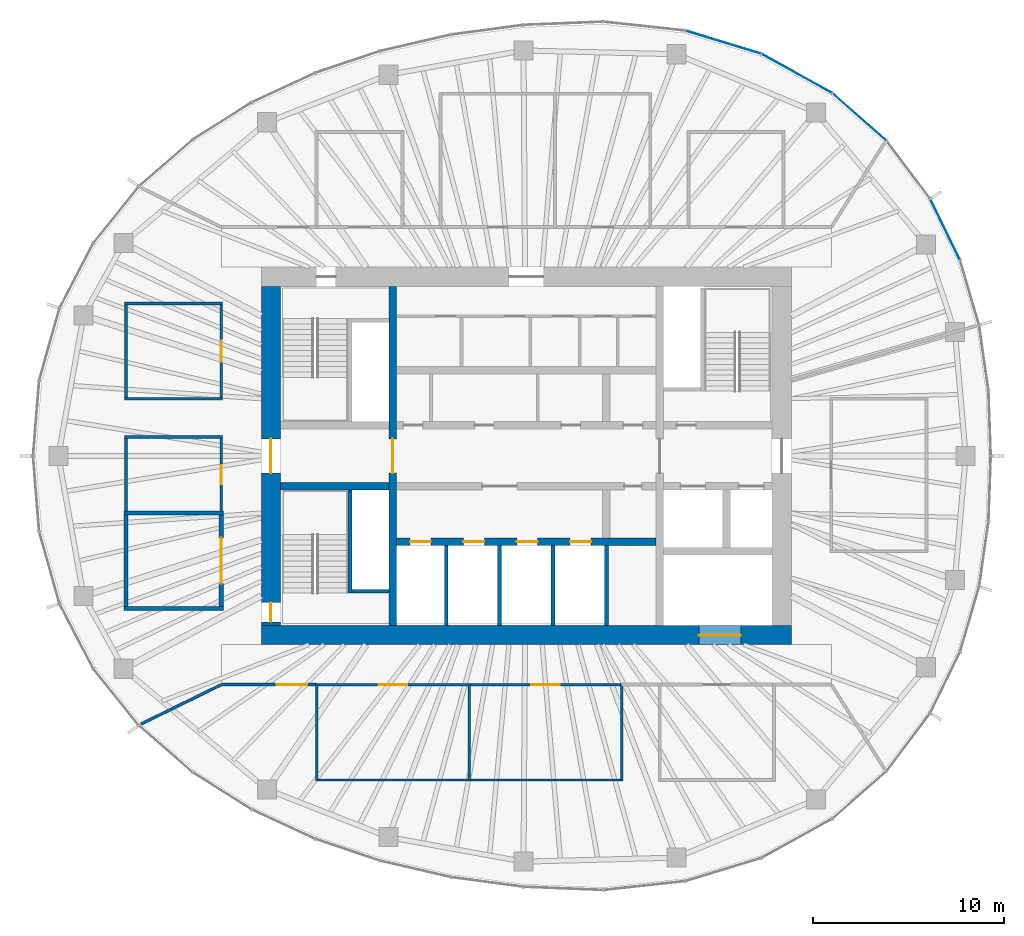
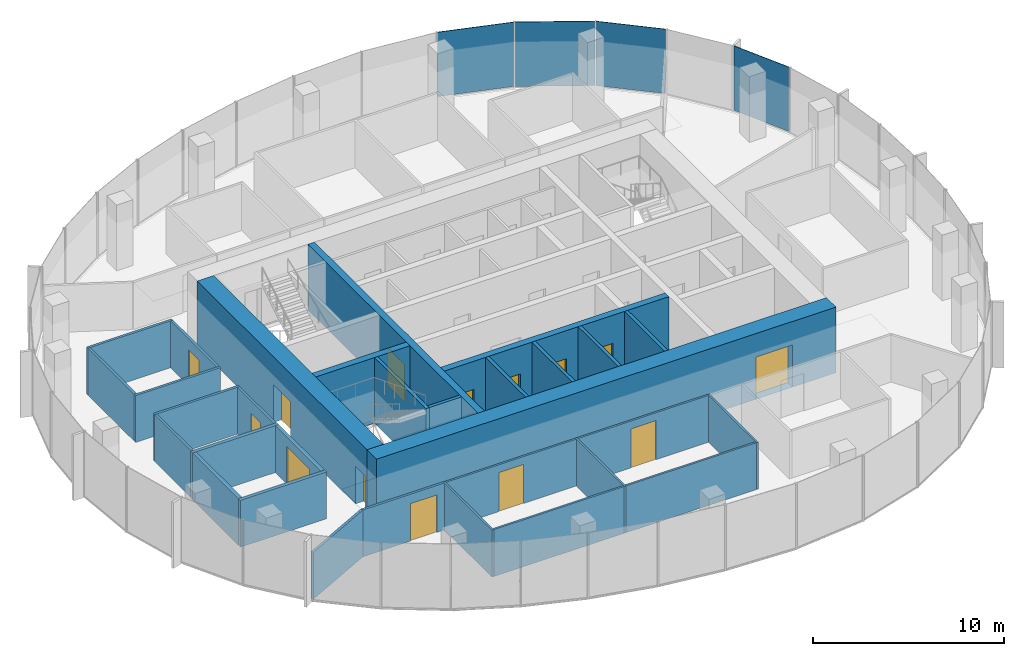
# One storey, part 8 of 11: 31 walls, 14 doors, 4 plates, 14 openings, 3 elements without a shape of their own.
"""IFC4 building model written with IfcOpenShell, lengths in metres."""

from ifc_helpers import new_model, si_unit, direction, frame, frame_2d, origin, origin_2d, place, context, subcontext, project, spatial, rectangle, extrude, material, layer, layer_set, type_object, element, fill, aggregate, save


model = new_model("IFC4")

# Units and contexts
model_context = context("Model", 3, precision=1e-05, world=origin(), true_north=direction((0.0, 1.0)))
body_context = subcontext(model_context, "Body", "Model", "MODEL_VIEW")
ifc_project = project(units=[si_unit("LENGTHUNIT", "METRE"), si_unit("AREAUNIT", "SQUARE_METRE"), si_unit("VOLUMEUNIT", "CUBIC_METRE"), si_unit("PLANEANGLEUNIT", "RADIAN"), si_unit("MASSUNIT", "GRAM", prefix="KILO")], contexts=[model_context])

# Site, building, storey
site_placement = place(None, origin())
site = spatial("IfcSite", under=ifc_project, at=site_placement, CompositionType="ELEMENT")
building_placement = place(site_placement, origin())
building = spatial("IfcBuilding", under=site, at=building_placement, Name="Ghaith Harvest Tower", CompositionType="ELEMENT")
storey_placement = place(building_placement, frame((0.0, 0.0, 309.0)))
storey = spatial("IfcBuildingStorey", under=building, at=storey_placement, Name="L69", CompositionType="ELEMENT", Elevation=309.0)

# Curtain wall, plate
ifc_material_1 = material(Name="Black anodised aluminium and fritted glass", Category="aluminium")
curtain_wall_type = type_object("IfcCurtainWallType", Name="CW-T CURTAIN WALL", PredefinedType="NOTDEFINED", material=ifc_material_1)
curtain_wall_1_placement = place(storey_placement, origin())
curtain_wall_1 = element("IfcCurtainWall", 1, at=curtain_wall_1_placement, inside=storey, type_object=curtain_wall_type, Name="Curtain wall CW-T bay 02 L69", PredefinedType="NOTDEFINED")
ifc_material_2 = material(Name="Glass, dark solar-control fritted double glazed unit", Category="glass")
ifc_layer_1 = layer(ifc_material_2, 0.033935546875)
ifc_layer_set_1 = layer_set([ifc_layer_1], Name="CW-T VISION PANEL")
plate_type = type_object("IfcPlateType", Name="CW-T VISION PANEL", PredefinedType="CURTAIN_PANEL", material=ifc_layer_set_1)
plate_1_placement = place(storey_placement, frame((21.9716796875, 11.878662109375, 0.079833984375), z_axis=(0.0, 0.0, 1.0), x_axis=(-0.437968365148, 0.898990384337, 0.0)))
plate_1 = element("IfcPlate", 2, at=plate_1_placement, type_object=plate_type, Name="CW-T glass unit 2 bay 02 L69", PredefinedType="CURTAIN_PANEL", context=body_context, shape_type="SweptSolid", body=[
    extrude(rectangle(XDim=3.49365234375, YDim=0.033935546875, at=origin_2d()), origin(), (0.0, 0.0, 1.0), 4.1201171875),
])
aggregate(curtain_wall_1, [plate_1])

curtain_wall_2_placement = place(storey_placement, origin())
curtain_wall_2 = element("IfcCurtainWall", 3, at=curtain_wall_2_placement, inside=storey, type_object=curtain_wall_type, Name="Curtain wall CW-T bay 03 L69", PredefinedType="NOTDEFINED")
plate_2_placement = place(storey_placement, frame((17.47509765625, 17.779541015625, 0.079833984375), z_axis=(0.0, 0.0, 1.0), x_axis=(-0.751334532416, 0.659921525941, 0.0)))
plate_2 = element("IfcPlate", 4, at=plate_2_placement, type_object=plate_type, Name="CW-T glass unit 2 bay 03 L69", PredefinedType="CURTAIN_PANEL", context=body_context, shape_type="SweptSolid", body=[
    extrude(rectangle(XDim=3.7158203125, YDim=0.033935546875, at=origin_2d()), origin(), (0.0, 0.0, 1.0), 4.1201171875),
])
aggregate(curtain_wall_2, [plate_2])

# Curtain wall, plates
curtain_wall_3_placement = place(storey_placement, origin())
curtain_wall_3 = element("IfcCurtainWall", 5, at=curtain_wall_3_placement, inside=storey, type_object=curtain_wall_type, Name="Curtain wall CW-T bay 04 L69", PredefinedType="NOTDEFINED")
plate_3_placement = place(storey_placement, frame((14.19189453125, 20.06201171875, 0.079833984375), z_axis=(0.0, 0.0, 1.0), x_axis=(-0.87456402291, 0.484910063653, 0.0)))
plate_3 = element("IfcPlate", 6, at=plate_3_placement, type_object=plate_type, Name="CW-T glass unit 1 bay 04 L69", PredefinedType="CURTAIN_PANEL", context=body_context, shape_type="SweptSolid", body=[
    extrude(rectangle(XDim=4.167724609375, YDim=0.033935546875, at=origin_2d()), origin(), (0.0, 0.0, 1.0), 4.1201171875),
])
plate_4_placement = place(storey_placement, frame((10.337158203125, 21.700439453125, 0.079833984375), z_axis=(0.0, 0.0, 1.0), x_axis=(-0.956587736124, 0.291444511181, 0.0)))
plate_4 = element("IfcPlate", 7, at=plate_4_placement, type_object=plate_type, Name="CW-T glass unit 2 bay 04 L69", PredefinedType="CURTAIN_PANEL", context=body_context, shape_type="SweptSolid", body=[
    extrude(rectangle(XDim=4.095703125, YDim=0.033935546875, at=origin_2d()), origin(), (0.0, 0.0, 1.0), 4.1201171875),
])
aggregate(curtain_wall_3, [plate_3, plate_4])

# Walls
ifc_material_3 = material(Name="Concrete blockwork, 1-hour", Category="masonry")
ifc_layer_2 = layer(ifc_material_3, 0.215087890625)
ifc_layer_set_2 = layer_set([ifc_layer_2], Name="BLOCKWORK WALL 215")
wall_type_1 = type_object("IfcWallType", Name="BLOCKWORK WALL 215", PredefinedType="PARTITIONING", material=ifc_layer_set_2)
for number, where, z_axis, x_axis, name in (
    (8, (-15.892578125, -8.0, 0.0), (0.0, 0.0, 1.0), (-1.0, 0.0, 0.0), "Partition L69 row W4 cross wall 1"),
    (9, (-15.892578125, -3.0, 0.0), (0.0, 0.0, 1.0), (-1.0, 0.0, 0.0), "Partition L69 row W4 cross wall 2"),
):
    element("IfcWall", number, at=place(storey_placement, frame(where, z_axis=z_axis, x_axis=x_axis)), inside=storey, type_object=wall_type_1, Name=name, PredefinedType="PARTITIONING", context=body_context, shape_type="SweptSolid", body=[
        extrude(rectangle(XDim=5.21484375, YDim=0.215087890625, at=frame_2d((2.607421875, 0.0))), origin(), (0.0, 0.0, 1.0), 3.0),
    ])

# Wall, opening, door
wall_1_placement = place(storey_placement, frame((-16.0, -7.892578125, 0.0), z_axis=(0.0, 0.0, 1.0), x_axis=(0.0, 1.0, 0.0)))
wall_1 = element("IfcWall", 10, at=wall_1_placement, inside=storey, type_object=wall_type_1, Name="Partition L69-06", PredefinedType="PARTITIONING", context=body_context, shape_type="SweptSolid", body=[
    extrude(rectangle(XDim=4.78515625, YDim=0.215087890625, at=frame_2d((2.392578125, 0.0))), origin(), (0.0, 0.0, 1.0), 3.0),
])
opening_1_placement = place(wall_1_placement, frame((1.1923828125, 0.0, 0.0)))
opening_1 = element("IfcOpeningElement", 11, at=opening_1_placement, cuts=wall_1, Name="Opening 69-032", PredefinedType="OPENING", context=body_context, shape_type="SweptSolid", body=[
    extrude(rectangle(XDim=2.39990234375, YDim=2.39990234375, at=frame_2d((1.199951171875, 1.199951171875))), frame((0.0, 0.11767578125, 0.0), z_axis=(0.0, -1.0, 0.0), x_axis=(1.0, 0.0, 0.0)), (0.0, 0.0, 1.0), 0.235107421875),
])
ifc_material_4 = material(Name="Timber door", Category="wood")
door_type_1 = type_object("IfcDoorType", Name="D10 PLANT PAIR 2400x2400", OperationType="DOUBLE_DOOR_SINGLE_SWING", PredefinedType="DOOR", material=ifc_material_4)
door_1_placement = place(opening_1_placement, origin())
door_1 = element("IfcDoor", 12, at=door_1_placement, inside=storey, type_object=door_type_1, Name="Pump room door", OperationType="DOUBLE_DOOR_SINGLE_SWING", OverallHeight=2.39990234375, OverallWidth=2.39990234375, PredefinedType="DOOR", context=body_context, shape_type="SweptSolid", body=[
    extrude(rectangle(XDim=2.39990234375, YDim=2.39990234375, at=frame_2d((1.199951171875, 1.199951171875))), frame((0.0, 0.02490234375, 0.0), z_axis=(0.0, -1.0, 0.0), x_axis=(1.0, 0.0, 0.0)), (0.0, 0.0, 1.0), 0.050048828125),
])
fill(opening_1, door_1)

# Wall
wall_2_placement = place(storey_placement, frame((-21.0, -7.892578125, 0.0), z_axis=(0.0, 0.0, 1.0), x_axis=(0.0, 1.0, 0.0)))
element("IfcWall", 13, at=wall_2_placement, inside=storey, type_object=wall_type_1, Name="Partition L69-06", PredefinedType="PARTITIONING", context=body_context, shape_type="SweptSolid", body=[
    extrude(rectangle(XDim=4.78515625, YDim=0.215087890625, at=frame_2d((2.392578125, 0.0))), origin(), (0.0, 0.0, 1.0), 3.0),
])

# Wall, opening, door
ifc_material_5 = material(Name="Concrete C50/60", Category="concrete")
ifc_layer_3 = layer(ifc_material_5, 1.0)
ifc_layer_set_3 = layer_set([ifc_layer_3], Name="CORE WALL CW1000")
wall_type_2 = type_object("IfcWallType", Name="CORE WALL CW1000", PredefinedType="SHEAR", material=ifc_layer_set_3)
wall_3_placement = place(storey_placement, frame((-13.89990234375, -9.39990234375, 0.0), z_axis=(0.0, 0.0, 1.0), x_axis=(1.0, 0.0, 0.0)))
wall_3 = element("IfcWall", 14, at=wall_3_placement, inside=storey, type_object=wall_type_2, Name="Core wall S L69", PredefinedType="SHEAR", context=body_context, shape_type="SweptSolid", body=[
    extrude(rectangle(XDim=27.7998046875, YDim=1.0, at=frame_2d((13.89990234375, 0.0))), origin(), (0.0, 0.0, 1.0), 4.199951171875),
])
opening_2_placement = place(wall_3_placement, frame((22.949951171875, 0.0, 0.0)))
opening_2 = element("IfcOpeningElement", 15, at=opening_2_placement, cuts=wall_3, Name="Opening 69-026", PredefinedType="OPENING", context=body_context, shape_type="SweptSolid", body=[
    extrude(rectangle(XDim=2.199951171875, YDim=2.699951171875, at=frame_2d((1.10009765625, 1.35009765625))), frame((0.0, 0.510009765625, 0.0), z_axis=(0.0, -1.0, 0.0), x_axis=(1.0, 0.0, 0.0)), (0.0, 0.0, 1.0), 1.02001953125),
])
ifc_material_6 = material(Name="Steel fire door", Category="steel")
door_type_2 = type_object("IfcDoorType", Name="LD3 LANDING 2200x2700", OperationType="DOUBLE_DOOR_SLIDING", PredefinedType="DOOR", material=ifc_material_6)
door_2_placement = place(opening_2_placement, origin())
door_2 = element("IfcDoor", 16, at=door_2_placement, inside=storey, type_object=door_type_2, Name="Landing door, goods lift GL1", OperationType="DOUBLE_DOOR_SLIDING", OverallHeight=2.699951171875, OverallWidth=2.199951171875, PredefinedType="DOOR", context=body_context, shape_type="SweptSolid", body=[
    extrude(rectangle(XDim=2.199951171875, YDim=2.699951171875, at=frame_2d((1.10009765625, 1.35009765625))), frame((0.0, 0.02490234375, 0.0), z_axis=(0.0, -1.0, 0.0), x_axis=(1.0, 0.0, 0.0)), (0.0, 0.0, 1.0), 0.050048828125),
])
fill(opening_2, door_2)

# Wall, openings, doors
wall_4_placement = place(storey_placement, frame((-13.39990234375, 8.89990234375, 0.0), z_axis=(0.0, 0.0, 1.0), x_axis=(0.0, -1.0, 0.0)))
wall_4 = element("IfcWall", 17, at=wall_4_placement, inside=storey, type_object=wall_type_2, Name="Core wall W L69", PredefinedType="SHEAR", context=body_context, shape_type="SweptSolid", body=[
    extrude(rectangle(XDim=17.7998046875, YDim=1.0, at=frame_2d((8.89990234375, 0.0))), origin(), (0.0, 0.0, 1.0), 4.199951171875),
])
opening_3_placement = place(wall_4_placement, frame((8.0, 0.0, 0.0)))
opening_3 = element("IfcOpeningElement", 18, at=opening_3_placement, cuts=wall_4, Name="Opening 69-001", PredefinedType="OPENING", context=body_context, shape_type="SweptSolid", body=[
    extrude(rectangle(XDim=1.800048828125, YDim=2.39990234375, at=frame_2d((0.89990234375, 1.199951171875))), frame((0.0, 0.510009765625, 0.0), z_axis=(0.0, -1.0, 0.0), x_axis=(1.0, 0.0, 0.0)), (0.0, 0.0, 1.0), 1.02001953125),
])
opening_4_placement = place(wall_4_placement, frame((16.60009765625, 0.0, 0.0)))
opening_4 = element("IfcOpeningElement", 19, at=opening_4_placement, cuts=wall_4, Name="Opening 69-006", PredefinedType="OPENING", context=body_context, shape_type="SweptSolid", body=[
    extrude(rectangle(XDim=1.0, YDim=2.39990234375, at=frame_2d((0.5, 1.199951171875))), frame((0.0, 0.510009765625, 0.0), z_axis=(0.0, -1.0, 0.0), x_axis=(1.0, 0.0, 0.0)), (0.0, 0.0, 1.0), 1.02001953125),
])
ifc_material_7 = material(Name="Steel fire door", Category="steel")
door_type_3 = type_object("IfcDoorType", Name="D3 FD90 1000x2400", OperationType="SINGLE_SWING_LEFT", PredefinedType="DOOR", material=ifc_material_7)
door_3_placement = place(opening_4_placement, origin())
door_3 = element("IfcDoor", 20, at=door_3_placement, inside=storey, type_object=door_type_3, Name="Stair ST3 door", OperationType="SINGLE_SWING_RIGHT", OverallHeight=2.39990234375, OverallWidth=1.0, PredefinedType="DOOR", context=body_context, shape_type="SweptSolid", body=[
    extrude(rectangle(XDim=1.0, YDim=2.39990234375, at=frame_2d((0.5, 1.199951171875))), frame((0.0, 0.02490234375, 0.0), z_axis=(0.0, -1.0, 0.0), x_axis=(1.0, 0.0, 0.0)), (0.0, 0.0, 1.0), 0.050048828125),
])
fill(opening_4, door_3)
ifc_material_8 = material(Name="Steel fire door", Category="steel")
door_type_4 = type_object("IfcDoorType", Name="D4 FD90 PAIR 1800x2400", OperationType="DOUBLE_DOOR_SINGLE_SWING", PredefinedType="DOOR", material=ifc_material_8)
door_4_placement = place(opening_3_placement, origin())
door_4 = element("IfcDoor", 21, at=door_4_placement, inside=storey, type_object=door_type_4, Name="West lobby doors", OperationType="DOUBLE_DOOR_SINGLE_SWING", OverallHeight=2.39990234375, OverallWidth=1.800048828125, PredefinedType="DOOR", context=body_context, shape_type="SweptSolid", body=[
    extrude(rectangle(XDim=1.800048828125, YDim=2.39990234375, at=frame_2d((0.89990234375, 1.199951171875))), frame((0.0, 0.02490234375, 0.0), z_axis=(0.0, -1.0, 0.0), x_axis=(1.0, 0.0, 0.0)), (0.0, 0.0, 1.0), 0.050048828125),
])
fill(opening_3, door_4)

# Walls
ifc_material_9 = material(Name="Insulated food-grade panel", Category="steel")
ifc_layer_4 = layer(ifc_material_9, 0.1201171875)
ifc_layer_set_4 = layer_set([ifc_layer_4], Name="INSULATED PANEL WALL 120")
wall_type_3 = type_object("IfcWallType", Name="INSULATED PANEL WALL 120", PredefinedType="PARTITIONING", material=ifc_layer_set_4)
for number, where, z_axis, x_axis, name in (
    (22, (-11.0, -11.93994140625, 0.0), (0.0, 0.0, 1.0), (0.0, -1.0, 0.0), "Partition L69 row S2 cross wall 1"),
    (23, (-3.0, -11.93994140625, 0.0), (0.0, 0.0, 1.0), (0.0, -1.0, 0.0), "Partition L69 row S2 cross wall 2"),
    (24, (5.0, -11.93994140625, 0.0), (0.0, 0.0, 1.0), (0.0, -1.0, 0.0), "Partition L69 row S2 cross wall 3"),
):
    element("IfcWall", number, at=place(storey_placement, frame(where, z_axis=z_axis, x_axis=x_axis)), inside=storey, type_object=wall_type_3, Name=name, PredefinedType="PARTITIONING", context=body_context, shape_type="SweptSolid", body=[
        extrude(rectangle(XDim=5.1201171875, YDim=0.1201171875, at=frame_2d((2.56005859375, 0.0))), origin(), (0.0, 0.0, 1.0), 3.0),
    ])

# Wall, opening, door
wall_5_placement = place(storey_placement, frame((-10.93994140625, -12.0, 0.0), z_axis=(0.0, 0.0, 1.0), x_axis=(1.0, 0.0, 0.0)))
wall_5 = element("IfcWall", 25, at=wall_5_placement, inside=storey, type_object=wall_type_3, Name="Partition L69-03", PredefinedType="PARTITIONING", context=body_context, shape_type="SweptSolid", body=[
    extrude(rectangle(XDim=7.8798828125, YDim=0.1201171875, at=frame_2d((3.93994140625, 0.0))), origin(), (0.0, 0.0, 1.0), 3.0),
])
opening_5_placement = place(wall_5_placement, frame((3.18994140625, 0.0, 0.0)))
opening_5 = element("IfcOpeningElement", 26, at=opening_5_placement, cuts=wall_5, Name="Opening 69-029", PredefinedType="OPENING", context=body_context, shape_type="SweptSolid", body=[
    extrude(rectangle(XDim=1.5, YDim=2.5, at=frame_2d((0.75, 1.25))), frame((0.0, 0.070068359375, 0.0), z_axis=(0.0, -1.0, 0.0), x_axis=(1.0, 0.0, 0.0)), (0.0, 0.0, 1.0), 0.14013671875),
])
ifc_material_10 = material(Name="Insulated steel sliding door", Category="steel")
door_type_5 = type_object("IfcDoorType", Name="D13 COLD STORE SLIDING 1500x2500", OperationType="SLIDING_TO_LEFT", PredefinedType="DOOR", material=ifc_material_10)
door_5_placement = place(opening_5_placement, origin())
door_5 = element("IfcDoor", 27, at=door_5_placement, inside=storey, type_object=door_type_5, Name="Berry growing room door", OperationType="SLIDING_TO_LEFT", OverallHeight=2.5, OverallWidth=1.5, PredefinedType="DOOR", context=body_context, shape_type="SweptSolid", body=[
    extrude(rectangle(XDim=1.5, YDim=2.5, at=frame_2d((0.75, 1.25))), frame((0.0, 0.02490234375, 0.0), z_axis=(0.0, -1.0, 0.0), x_axis=(1.0, 0.0, 0.0)), (0.0, 0.0, 1.0), 0.050048828125),
])
fill(opening_5, door_5)

# Wall
wall_6_placement = place(storey_placement, frame((-10.93994140625, -17.0, 0.0), z_axis=(0.0, 0.0, 1.0), x_axis=(1.0, 0.0, 0.0)))
element("IfcWall", 28, at=wall_6_placement, inside=storey, type_object=wall_type_3, Name="Partition L69-03", PredefinedType="PARTITIONING", context=body_context, shape_type="SweptSolid", body=[
    extrude(rectangle(XDim=7.8798828125, YDim=0.1201171875, at=frame_2d((3.93994140625, 0.0))), origin(), (0.0, 0.0, 1.0), 3.0),
])

# Wall, opening, door
wall_7_placement = place(storey_placement, frame((-2.93994140625, -12.0, 0.0), z_axis=(0.0, 0.0, 1.0), x_axis=(1.0, 0.0, 0.0)))
wall_7 = element("IfcWall", 29, at=wall_7_placement, inside=storey, type_object=wall_type_3, Name="Partition L69-04", PredefinedType="PARTITIONING", context=body_context, shape_type="SweptSolid", body=[
    extrude(rectangle(XDim=7.8798828125, YDim=0.1201171875, at=frame_2d((3.93994140625, 0.0))), origin(), (0.0, 0.0, 1.0), 3.0),
])
opening_6_placement = place(wall_7_placement, frame((3.18994140625, 0.0, 0.0)))
opening_6 = element("IfcOpeningElement", 30, at=opening_6_placement, cuts=wall_7, Name="Opening 69-030", PredefinedType="OPENING", context=body_context, shape_type="SweptSolid", body=[
    extrude(rectangle(XDim=1.5, YDim=2.5, at=frame_2d((0.75, 1.25))), frame((0.0, 0.070068359375, 0.0), z_axis=(0.0, -1.0, 0.0), x_axis=(1.0, 0.0, 0.0)), (0.0, 0.0, 1.0), 0.14013671875),
])
door_6_placement = place(opening_6_placement, origin())
door_6 = element("IfcDoor", 31, at=door_6_placement, inside=storey, type_object=door_type_5, Name="Berry growing room door", OperationType="SLIDING_TO_LEFT", OverallHeight=2.5, OverallWidth=1.5, PredefinedType="DOOR", context=body_context, shape_type="SweptSolid", body=[
    extrude(rectangle(XDim=1.5, YDim=2.5, at=frame_2d((0.75, 1.25))), frame((0.0, 0.02490234375, 0.0), z_axis=(0.0, -1.0, 0.0), x_axis=(1.0, 0.0, 0.0)), (0.0, 0.0, 1.0), 0.050048828125),
])
fill(opening_6, door_6)

# Walls
wall_8_placement = place(storey_placement, frame((-2.93994140625, -17.0, 0.0), z_axis=(0.0, 0.0, 1.0), x_axis=(1.0, 0.0, 0.0)))
element("IfcWall", 32, at=wall_8_placement, inside=storey, type_object=wall_type_3, Name="Partition L69-04", PredefinedType="PARTITIONING", context=body_context, shape_type="SweptSolid", body=[
    extrude(rectangle(XDim=7.8798828125, YDim=0.1201171875, at=frame_2d((3.93994140625, 0.0))), origin(), (0.0, 0.0, 1.0), 3.0),
])
ifc_material_11 = material(Name="Concrete blockwork, 2-hour", Category="masonry")
ifc_layer_5 = layer(ifc_material_11, 0.199951171875)
ifc_layer_set_5 = layer_set([ifc_layer_5], Name="LIFT SHAFT WALL 200")
wall_type_4 = type_object("IfcWallType", Name="LIFT SHAFT WALL 200", PredefinedType="PARTITIONING", material=ifc_layer_set_5)
for number, where, z_axis, x_axis, name in (
    (33, (-4.199951171875, -4.699951171875, 0.0), (0.0, 0.0, 1.0), (0.0, -1.0, 0.0), "Lift shaft wall L69"),
    (34, (-1.39990234375, -4.699951171875, 0.0), (0.0, 0.0, 1.0), (0.0, -1.0, 0.0), "Lift shaft wall L69"),
    (35, (1.39990234375, -4.699951171875, 0.0), (0.0, 0.0, 1.0), (0.0, -1.0, 0.0), "Lift shaft wall L69"),
    (36, (4.199951171875, -4.699951171875, 0.0), (0.0, 0.0, 1.0), (0.0, -1.0, 0.0), "Lift shaft wall L69"),
):
    element("IfcWall", number, at=place(storey_placement, frame(where, z_axis=z_axis, x_axis=x_axis)), inside=storey, type_object=wall_type_4, Name=name, PredefinedType="PARTITIONING", context=body_context, shape_type="SweptSolid", body=[
        extrude(rectangle(XDim=4.199951171875, YDim=0.199951171875, at=frame_2d((2.10009765625, 0.0))), origin(), (0.0, 0.0, 1.0), 4.199951171875),
    ])
ifc_material_12 = material(Name="Gypsum board on steel studs", Category="steel")
ifc_layer_6 = layer(ifc_material_12, 0.14990234375)
ifc_layer_set_6 = layer_set([ifc_layer_6], Name="PARTITION 150")
wall_type_5 = type_object("IfcWallType", Name="PARTITION 150", PredefinedType="PARTITIONING", material=ifc_layer_set_6)
wall_9_placement = place(storey_placement, frame((-15.925048828125, 1.0, 0.0), z_axis=(0.0, 0.0, 1.0), x_axis=(-1.0, 0.0, 0.0)))
element("IfcWall", 37, at=wall_9_placement, inside=storey, type_object=wall_type_5, Name="Partition L69 row W4 cross wall 3", PredefinedType="PARTITIONING", context=body_context, shape_type="SweptSolid", body=[
    extrude(rectangle(XDim=5.14990234375, YDim=0.14990234375, at=frame_2d((2.574951171875, 0.0))), origin(), (0.0, 0.0, 1.0), 3.0),
])

# Wall, opening, door
wall_10_placement = place(storey_placement, frame((-16.0, -2.892578125, 0.0), z_axis=(0.0, 0.0, 1.0), x_axis=(0.0, 1.0, 0.0)))
wall_10 = element("IfcWall", 38, at=wall_10_placement, inside=storey, type_object=wall_type_5, Name="Partition L69-07", PredefinedType="PARTITIONING", context=body_context, shape_type="SweptSolid", body=[
    extrude(rectangle(XDim=3.817626953125, YDim=0.14990234375, at=frame_2d((1.90869140625, 0.0))), origin(), (0.0, 0.0, 1.0), 3.0),
])
opening_7_placement = place(wall_10_placement, frame((1.40869140625, 0.0, 0.0)))
opening_7 = element("IfcOpeningElement", 39, at=opening_7_placement, cuts=wall_10, Name="Opening 69-033", PredefinedType="OPENING", context=body_context, shape_type="SweptSolid", body=[
    extrude(rectangle(XDim=1.0, YDim=2.199951171875, at=frame_2d((0.5, 1.10009765625))), frame((0.0, 0.0849609375, 0.0), z_axis=(0.0, -1.0, 0.0), x_axis=(1.0, 0.0, 0.0)), (0.0, 0.0, 1.0), 0.169921875),
])
ifc_material_13 = material(Name="Timber door", Category="wood")
door_type_6 = type_object("IfcDoorType", Name="D1 SINGLE 1000x2200", OperationType="SINGLE_SWING_LEFT", PredefinedType="DOOR", material=ifc_material_13)
door_7_placement = place(opening_7_placement, origin())
door_7 = element("IfcDoor", 40, at=door_7_placement, inside=storey, type_object=door_type_6, Name="Store door", OperationType="SINGLE_SWING_LEFT", OverallHeight=2.199951171875, OverallWidth=1.0, PredefinedType="DOOR", context=body_context, shape_type="SweptSolid", body=[
    extrude(rectangle(XDim=1.0, YDim=2.199951171875, at=frame_2d((0.5, 1.10009765625))), frame((0.0, 0.02490234375, 0.0), z_axis=(0.0, -1.0, 0.0), x_axis=(1.0, 0.0, 0.0)), (0.0, 0.0, 1.0), 0.050048828125),
])
fill(opening_7, door_7)

# Walls
wall_11_placement = place(storey_placement, frame((-21.0, -2.892578125, 0.0), z_axis=(0.0, 0.0, 1.0), x_axis=(0.0, 1.0, 0.0)))
element("IfcWall", 41, at=wall_11_placement, inside=storey, type_object=wall_type_5, Name="Partition L69-07", PredefinedType="PARTITIONING", context=body_context, shape_type="SweptSolid", body=[
    extrude(rectangle(XDim=3.817626953125, YDim=0.14990234375, at=frame_2d((1.90869140625, 0.0))), origin(), (0.0, 0.0, 1.0), 3.0),
])
for number, where, z_axis, x_axis, name in (
    (42, (-15.925048828125, 3.0, 0.0), (0.0, 0.0, 1.0), (-1.0, 0.0, 0.0), "Partition L69 row W8 cross wall 1"),
    (43, (-15.925048828125, 8.0, 0.0), (0.0, 0.0, 1.0), (-1.0, 0.0, 0.0), "Partition L69 row W8 cross wall 2"),
):
    element("IfcWall", number, at=place(storey_placement, frame(where, z_axis=z_axis, x_axis=x_axis)), inside=storey, type_object=wall_type_5, Name=name, PredefinedType="PARTITIONING", context=body_context, shape_type="SweptSolid", body=[
        extrude(rectangle(XDim=5.14990234375, YDim=0.14990234375, at=frame_2d((2.574951171875, 0.0))), origin(), (0.0, 0.0, 1.0), 3.0),
    ])

# Wall, opening, door
wall_12_placement = place(storey_placement, frame((-16.0, 3.074951171875, 0.0), z_axis=(0.0, 0.0, 1.0), x_axis=(0.0, 1.0, 0.0)))
wall_12 = element("IfcWall", 44, at=wall_12_placement, inside=storey, type_object=wall_type_5, Name="Partition L69-11", PredefinedType="PARTITIONING", context=body_context, shape_type="SweptSolid", body=[
    extrude(rectangle(XDim=4.85009765625, YDim=0.14990234375, at=frame_2d((2.425048828125, 0.0))), origin(), (0.0, 0.0, 1.0), 3.0),
])
opening_8_placement = place(wall_12_placement, frame((1.875, 0.0, 0.0)))
opening_8 = element("IfcOpeningElement", 45, at=opening_8_placement, cuts=wall_12, Name="Opening 69-037", PredefinedType="OPENING", context=body_context, shape_type="SweptSolid", body=[
    extrude(rectangle(XDim=1.10009765625, YDim=2.300048828125, at=frame_2d((0.550048828125, 1.14990234375))), frame((0.0, 0.0849609375, 0.0), z_axis=(0.0, -1.0, 0.0), x_axis=(1.0, 0.0, 0.0)), (0.0, 0.0, 1.0), 0.169921875),
])
ifc_material_14 = material(Name="Timber-framed glazed door", Category="wood")
door_type_7 = type_object("IfcDoorType", Name="D12 GLAZED OFFICE 1100x2300", OperationType="SINGLE_SWING_LEFT", PredefinedType="DOOR", material=ifc_material_14)
door_8_placement = place(opening_8_placement, origin())
door_8 = element("IfcDoor", 46, at=door_8_placement, inside=storey, type_object=door_type_7, Name="Office door", OperationType="SINGLE_SWING_LEFT", OverallHeight=2.300048828125, OverallWidth=1.10009765625, PredefinedType="DOOR", context=body_context, shape_type="SweptSolid", body=[
    extrude(rectangle(XDim=1.10009765625, YDim=2.300048828125, at=frame_2d((0.550048828125, 1.14990234375))), frame((0.0, 0.02490234375, 0.0), z_axis=(0.0, -1.0, 0.0), x_axis=(1.0, 0.0, 0.0)), (0.0, 0.0, 1.0), 0.050048828125),
])
fill(opening_8, door_8)

# Walls
wall_13_placement = place(storey_placement, frame((-21.0, 3.074951171875, 0.0), z_axis=(0.0, 0.0, 1.0), x_axis=(0.0, 1.0, 0.0)))
element("IfcWall", 47, at=wall_13_placement, inside=storey, type_object=wall_type_5, Name="Partition L69-11", PredefinedType="PARTITIONING", context=body_context, shape_type="SweptSolid", body=[
    extrude(rectangle(XDim=4.85009765625, YDim=0.14990234375, at=frame_2d((2.425048828125, 0.0))), origin(), (0.0, 0.0, 1.0), 3.0),
])
wall_14_placement = place(storey_placement, frame((-16.017822265625, -12.0087890625, 0.0), z_axis=(0.0, 0.0, 1.0), x_axis=(-0.897771840996, -0.440460805879, 0.0)))
element("IfcWall", 48, at=wall_14_placement, inside=storey, type_object=wall_type_5, Name="Partition L69 zone division", PredefinedType="PARTITIONING", context=body_context, shape_type="SweptSolid", body=[
    extrude(rectangle(XDim=4.66552734375, YDim=0.14990234375, at=frame_2d((2.332763671875, 0.0))), origin(), (0.0, 0.0, 1.0), 3.0),
])

# Wall, opening, door
wall_15_placement = place(storey_placement, frame((-16.0, -12.0, 0.0), z_axis=(0.0, 0.0, 1.0), x_axis=(1.0, 0.0, 0.0)))
wall_15 = element("IfcWall", 49, at=wall_15_placement, inside=storey, type_object=wall_type_5, Name="Partition L69 zone enclosure", PredefinedType="PARTITIONING", context=body_context, shape_type="SweptSolid", body=[
    extrude(rectangle(XDim=5.0, YDim=0.14990234375, at=frame_2d((2.5, 0.0))), origin(), (0.0, 0.0, 1.0), 3.0),
])
opening_9_placement = place(wall_15_placement, frame((2.89990234375, 0.0, 0.0)))
opening_9 = element("IfcOpeningElement", 50, at=opening_9_placement, cuts=wall_15, Name="Opening 69-039", PredefinedType="OPENING", context=body_context, shape_type="SweptSolid", body=[
    extrude(rectangle(XDim=1.60009765625, YDim=2.39990234375, at=frame_2d((0.800048828125, 1.199951171875))), frame((0.0, 0.0849609375, 0.0), z_axis=(0.0, -1.0, 0.0), x_axis=(1.0, 0.0, 0.0)), (0.0, 0.0, 1.0), 0.169921875),
])
ifc_material_15 = material(Name="Timber door", Category="wood")
door_type_8 = type_object("IfcDoorType", Name="D2 PAIR 1600x2400", OperationType="DOUBLE_DOOR_SINGLE_SWING", PredefinedType="DOOR", material=ifc_material_15)
door_9_placement = place(opening_9_placement, origin())
door_9 = element("IfcDoor", 51, at=door_9_placement, inside=storey, type_object=door_type_8, Name="Berry growing area south door", OperationType="DOUBLE_DOOR_SINGLE_SWING", OverallHeight=2.39990234375, OverallWidth=1.60009765625, PredefinedType="DOOR", context=body_context, shape_type="SweptSolid", body=[
    extrude(rectangle(XDim=1.60009765625, YDim=2.39990234375, at=frame_2d((0.800048828125, 1.199951171875))), frame((0.0, 0.02490234375, 0.0), z_axis=(0.0, -1.0, 0.0), x_axis=(1.0, 0.0, 0.0)), (0.0, 0.0, 1.0), 0.050048828125),
])
fill(opening_9, door_9)

ifc_material_16 = material(Name="Concrete C70/85", Category="concrete")
ifc_layer_7 = layer(ifc_material_16, 0.39990234375)
ifc_layer_set_7 = layer_set([ifc_layer_7], Name="SHAFT WALL 400")
wall_type_6 = type_object("IfcWallType", Name="SHAFT WALL 400", PredefinedType="SHEAR", material=ifc_layer_set_7)
wall_16_placement = place(storey_placement, frame((-7.0, -8.89990234375, 0.0), z_axis=(0.0, 0.0, 1.0), x_axis=(0.0, 1.0, 0.0)))
wall_16 = element("IfcWall", 52, at=wall_16_placement, inside=storey, type_object=wall_type_6, Name="Shaft wall W7W L69", PredefinedType="SHEAR", context=body_context, shape_type="SweptSolid", body=[
    extrude(rectangle(XDim=17.7998046875, YDim=0.39990234375, at=frame_2d((8.89990234375, 0.0))), origin(), (0.0, 0.0, 1.0), 4.199951171875),
])
opening_10_placement = place(wall_16_placement, frame((8.0, 0.0, 0.0)))
opening_10 = element("IfcOpeningElement", 53, at=opening_10_placement, cuts=wall_16, Name="Opening 69-003", PredefinedType="OPENING", context=body_context, shape_type="SweptSolid", body=[
    extrude(rectangle(XDim=1.800048828125, YDim=2.39990234375, at=frame_2d((0.89990234375, 1.199951171875))), frame((0.0, 0.2099609375, 0.0), z_axis=(0.0, -1.0, 0.0), x_axis=(1.0, 0.0, 0.0)), (0.0, 0.0, 1.0), 0.419921875),
])
door_10_placement = place(opening_10_placement, origin())
door_10 = element("IfcDoor", 54, at=door_10_placement, inside=storey, type_object=door_type_4, Name="Lift lobby doors, west", OperationType="DOUBLE_DOOR_SINGLE_SWING", OverallHeight=2.39990234375, OverallWidth=1.800048828125, PredefinedType="DOOR", context=body_context, shape_type="SweptSolid", body=[
    extrude(rectangle(XDim=1.800048828125, YDim=2.39990234375, at=frame_2d((0.89990234375, 1.199951171875))), frame((0.0, 0.02490234375, 0.0), z_axis=(0.0, -1.0, 0.0), x_axis=(1.0, 0.0, 0.0)), (0.0, 0.0, 1.0), 0.050048828125),
])
fill(opening_10, door_10)

# Wall, openings, doors
wall_17_placement = place(storey_placement, frame((-6.800048828125, -4.5, 0.0), z_axis=(0.0, 0.0, 1.0), x_axis=(1.0, 0.0, 0.0)))
wall_17 = element("IfcWall", 55, at=wall_17_placement, inside=storey, type_object=wall_type_6, Name="Shaft wall BS L69", PredefinedType="SHEAR", context=body_context, shape_type="SweptSolid", body=[
    extrude(rectangle(XDim=13.60009765625, YDim=0.39990234375, at=frame_2d((6.800048828125, 0.0))), origin(), (0.0, 0.0, 1.0), 4.199951171875),
])
opening_11_placement = place(wall_17_placement, frame((0.699951171875, 0.0, 0.0)))
opening_11 = element("IfcOpeningElement", 56, at=opening_11_placement, cuts=wall_17, Name="Opening 69-020", PredefinedType="OPENING", context=body_context, shape_type="SweptSolid", body=[
    extrude(rectangle(XDim=1.10009765625, YDim=2.39990234375, at=frame_2d((0.550048828125, 1.199951171875))), frame((0.0, 0.2099609375, 0.0), z_axis=(0.0, -1.0, 0.0), x_axis=(1.0, 0.0, 0.0)), (0.0, 0.0, 1.0), 0.419921875),
])
opening_12_placement = place(wall_17_placement, frame((3.5, 0.0, 0.0)))
opening_12 = element("IfcOpeningElement", 57, at=opening_12_placement, cuts=wall_17, Name="Opening 69-021", PredefinedType="OPENING", context=body_context, shape_type="SweptSolid", body=[
    extrude(rectangle(XDim=1.10009765625, YDim=2.39990234375, at=frame_2d((0.550048828125, 1.199951171875))), frame((0.0, 0.2099609375, 0.0), z_axis=(0.0, -1.0, 0.0), x_axis=(1.0, 0.0, 0.0)), (0.0, 0.0, 1.0), 0.419921875),
])
opening_13_placement = place(wall_17_placement, frame((6.300048828125, 0.0, 0.0)))
opening_13 = element("IfcOpeningElement", 58, at=opening_13_placement, cuts=wall_17, Name="Opening 69-022", PredefinedType="OPENING", context=body_context, shape_type="SweptSolid", body=[
    extrude(rectangle(XDim=1.10009765625, YDim=2.39990234375, at=frame_2d((0.550048828125, 1.199951171875))), frame((0.0, 0.2099609375, 0.0), z_axis=(0.0, -1.0, 0.0), x_axis=(1.0, 0.0, 0.0)), (0.0, 0.0, 1.0), 0.419921875),
])
opening_14_placement = place(wall_17_placement, frame((9.10009765625, 0.0, 0.0)))
opening_14 = element("IfcOpeningElement", 59, at=opening_14_placement, cuts=wall_17, Name="Opening 69-023", PredefinedType="OPENING", context=body_context, shape_type="SweptSolid", body=[
    extrude(rectangle(XDim=1.10009765625, YDim=2.39990234375, at=frame_2d((0.550048828125, 1.199951171875))), frame((0.0, 0.2099609375, 0.0), z_axis=(0.0, -1.0, 0.0), x_axis=(1.0, 0.0, 0.0)), (0.0, 0.0, 1.0), 0.419921875),
])
ifc_material_17 = material(Name="Steel fire door", Category="steel")
door_type_9 = type_object("IfcDoorType", Name="LD1 LANDING 1100x2400", OperationType="DOUBLE_DOOR_SLIDING", PredefinedType="DOOR", material=ifc_material_17)
door_11_placement = place(opening_11_placement, origin())
door_11 = element("IfcDoor", 60, at=door_11_placement, inside=storey, type_object=door_type_9, Name="Landing door, lift TR1", OperationType="DOUBLE_DOOR_SLIDING", OverallHeight=2.39990234375, OverallWidth=1.10009765625, PredefinedType="DOOR", context=body_context, shape_type="SweptSolid", body=[
    extrude(rectangle(XDim=1.10009765625, YDim=2.39990234375, at=frame_2d((0.550048828125, 1.199951171875))), frame((0.0, 0.02490234375, 0.0), z_axis=(0.0, -1.0, 0.0), x_axis=(1.0, 0.0, 0.0)), (0.0, 0.0, 1.0), 0.050048828125),
])
fill(opening_11, door_11)
door_12_placement = place(opening_12_placement, origin())
door_12 = element("IfcDoor", 61, at=door_12_placement, inside=storey, type_object=door_type_9, Name="Landing door, lift TR2", OperationType="DOUBLE_DOOR_SLIDING", OverallHeight=2.39990234375, OverallWidth=1.10009765625, PredefinedType="DOOR", context=body_context, shape_type="SweptSolid", body=[
    extrude(rectangle(XDim=1.10009765625, YDim=2.39990234375, at=frame_2d((0.550048828125, 1.199951171875))), frame((0.0, 0.02490234375, 0.0), z_axis=(0.0, -1.0, 0.0), x_axis=(1.0, 0.0, 0.0)), (0.0, 0.0, 1.0), 0.050048828125),
])
fill(opening_12, door_12)
door_13_placement = place(opening_13_placement, origin())
door_13 = element("IfcDoor", 62, at=door_13_placement, inside=storey, type_object=door_type_9, Name="Landing door, lift TR3", OperationType="DOUBLE_DOOR_SLIDING", OverallHeight=2.39990234375, OverallWidth=1.10009765625, PredefinedType="DOOR", context=body_context, shape_type="SweptSolid", body=[
    extrude(rectangle(XDim=1.10009765625, YDim=2.39990234375, at=frame_2d((0.550048828125, 1.199951171875))), frame((0.0, 0.02490234375, 0.0), z_axis=(0.0, -1.0, 0.0), x_axis=(1.0, 0.0, 0.0)), (0.0, 0.0, 1.0), 0.050048828125),
])
fill(opening_13, door_13)
door_14_placement = place(opening_14_placement, origin())
door_14 = element("IfcDoor", 63, at=door_14_placement, inside=storey, type_object=door_type_9, Name="Landing door, lift TR4", OperationType="DOUBLE_DOOR_SLIDING", OverallHeight=2.39990234375, OverallWidth=1.10009765625, PredefinedType="DOOR", context=body_context, shape_type="SweptSolid", body=[
    extrude(rectangle(XDim=1.10009765625, YDim=2.39990234375, at=frame_2d((0.550048828125, 1.199951171875))), frame((0.0, 0.02490234375, 0.0), z_axis=(0.0, -1.0, 0.0), x_axis=(1.0, 0.0, 0.0)), (0.0, 0.0, 1.0), 0.050048828125),
])
fill(opening_14, door_14)

# Walls
wall_18_placement = place(storey_placement, frame((-12.89990234375, -1.60009765625, 0.0), z_axis=(0.0, 0.0, 1.0), x_axis=(1.0, 0.0, 0.0)))
element("IfcWall", 64, at=wall_18_placement, inside=storey, type_object=wall_type_6, Name="Shaft wall WS L69", PredefinedType="SHEAR", context=body_context, shape_type="SweptSolid", body=[
    extrude(rectangle(XDim=5.699951171875, YDim=0.39990234375, at=frame_2d((2.85009765625, 0.0))), origin(), (0.0, 0.0, 1.0), 4.199951171875),
])
ifc_material_18 = material(Name="Concrete C40/50", Category="concrete")
ifc_layer_8 = layer(ifc_material_18, 0.199951171875)
ifc_layer_set_8 = layer_set([ifc_layer_8], Name="STAIR SPINE WALL RC200")
wall_type_7 = type_object("IfcWallType", Name="STAIR SPINE WALL RC200", PredefinedType="SOLIDWALL", material=ifc_layer_set_8)
wall_19_placement = place(storey_placement, frame((-9.25, -7.199951171875, 0.0), z_axis=(0.0, 0.0, 1.0), x_axis=(0.0, 1.0, 0.0)))
element("IfcWall", 65, at=wall_19_placement, inside=storey, type_object=wall_type_7, Name="Stair ST3 spine wall L69", PredefinedType="SOLIDWALL", context=body_context, shape_type="SweptSolid", body=[
    extrude(rectangle(XDim=5.39990234375, YDim=0.199951171875, at=frame_2d((2.699951171875, 0.0))), origin(), (0.0, 0.0, 1.0), 4.199951171875),
])
wall_20_placement = place(storey_placement, frame((-9.14990234375, -7.10009765625, 0.0), z_axis=(0.0, 0.0, 1.0), x_axis=(1.0, 0.0, 0.0)))
element("IfcWall", 66, at=wall_20_placement, inside=storey, type_object=wall_type_7, Name="Stair ST3 spine wall return L69", PredefinedType="SOLIDWALL", context=body_context, shape_type="SweptSolid", body=[
    extrude(rectangle(XDim=1.949951171875, YDim=0.199951171875, at=frame_2d((0.97509765625, 0.0))), origin(), (0.0, 0.0, 1.0), 4.199951171875),
])

save(model, "model.ifc")
